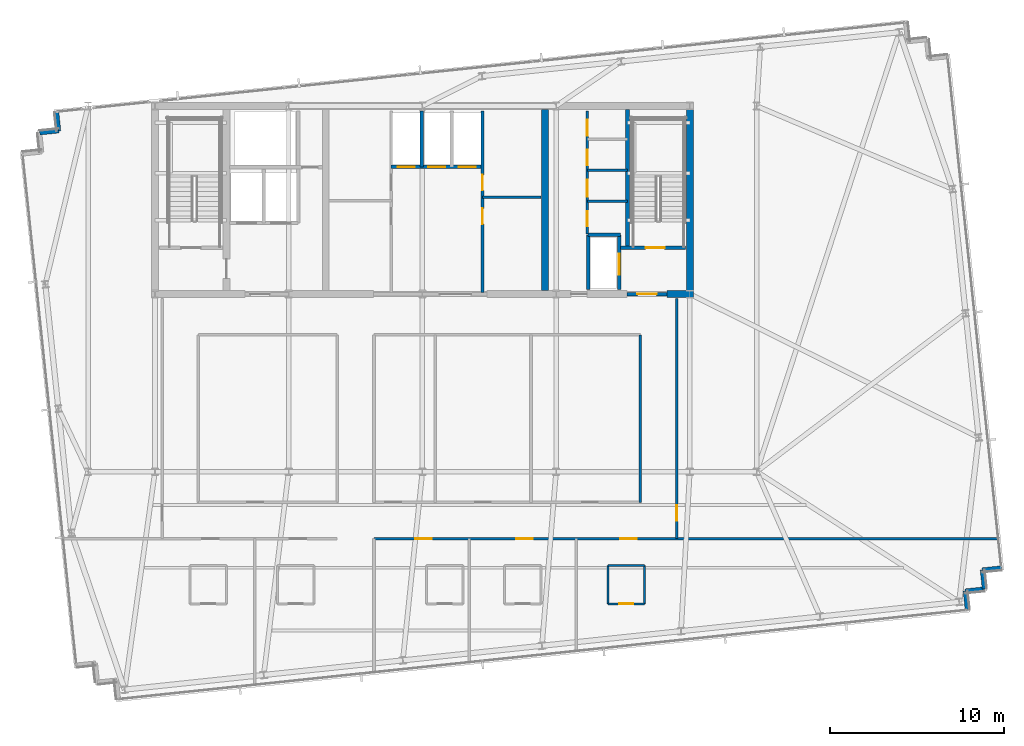
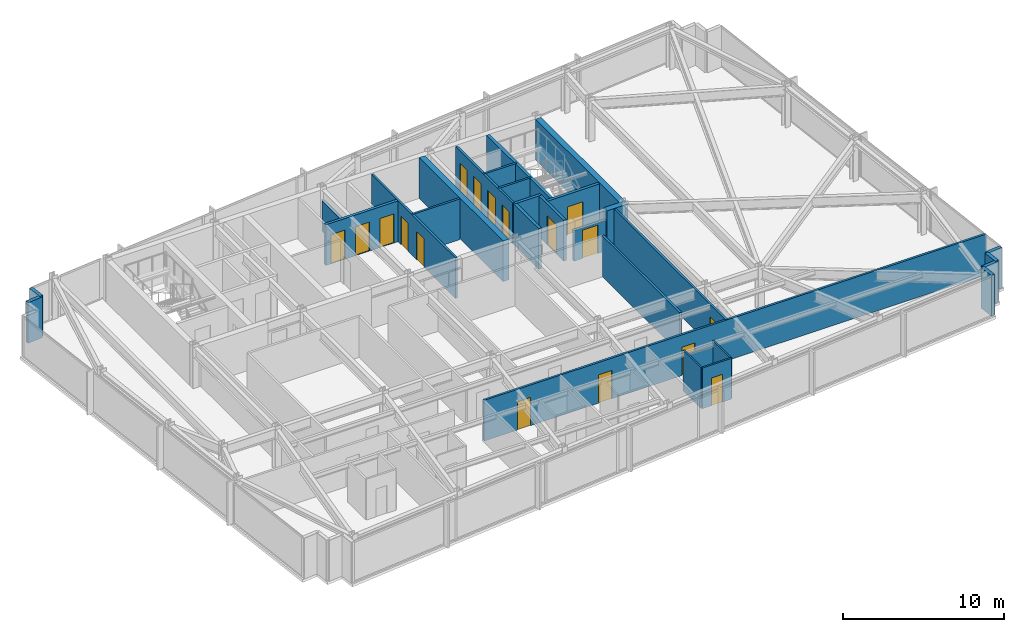
# One storey, part 28 of 33: 29 walls, 17 doors, 17 openings.
"""IFC4 building model written with IfcOpenShell, lengths in metres."""

from ifc_helpers import new_model, si_unit, direction, frame, frame_2d, origin, place, context, subcontext, project, spatial, rectangle, extrude, material, layer, layer_set, type_object, element, fill, save


model = new_model("IFC4")

# Units and contexts
model_context = context("Model", 3, precision=1e-05, world=origin(), true_north=direction((0.0, 1.0)))
body_context = subcontext(model_context, "Body", "Model", "MODEL_VIEW")
ifc_project = project(units=[si_unit("LENGTHUNIT", "METRE"), si_unit("AREAUNIT", "SQUARE_METRE"), si_unit("VOLUMEUNIT", "CUBIC_METRE"), si_unit("PLANEANGLEUNIT", "RADIAN"), si_unit("MASSUNIT", "GRAM", prefix="KILO")], contexts=[model_context])

# Site, building, storey
site_placement = place(None, origin())
site = spatial("IfcSite", under=ifc_project, at=site_placement, CompositionType="ELEMENT")
building_placement = place(site_placement, origin())
building = spatial("IfcBuilding", under=site, at=building_placement, Name="Yelkora Congress Tower", CompositionType="ELEMENT")
storey_placement = place(building_placement, frame((0.0, 0.0, 234.199951171875)))
storey = spatial("IfcBuildingStorey", under=building, at=storey_placement, Name="L65", CompositionType="ELEMENT", Elevation=234.199951171875)

# Walls
ifc_material_1 = material(Name="Concrete C50/60", Category="concrete")
ifc_layer_1 = layer(ifc_material_1, 0.219970703125)
ifc_layer_set_1 = layer_set([ifc_layer_1], Name="Concrete C50/60")
wall_type_1 = type_object("IfcWallType", Name="WALL-CORE-INT-220", PredefinedType="SHEAR", material=ifc_layer_set_1)
wall_1_placement = place(storey_placement, frame((50.179931640625, 38.050048828125, 0.0), z_axis=(0.0, 0.0, 1.0), x_axis=(0.0, 1.0, 0.0)))
element("IfcWall", 1, at=wall_1_placement, inside=storey, type_object=wall_type_1, Name="L65 ST02 West Stair Shear Wall", PredefinedType="SHEAR", context=body_context, shape_type="SweptSolid", body=[
    extrude(rectangle(XDim=7.949951171875, YDim=0.219970703125, at=frame_2d((3.97509765625, 0.0))), origin(), (0.0, 0.0, 1.0), 3.080078125),
])
ifc_layer_2 = layer(ifc_material_1, 0.39990234375)
ifc_layer_set_2 = layer_set([ifc_layer_2], Name="Concrete C50/60")
wall_type_2 = type_object("IfcWallType", Name="WALL-CORE-INT-400", PredefinedType="SHEAR", material=ifc_layer_set_2)
wall_2_placement = place(storey_placement, frame((52.449951171875, 35.39990234375, 0.0), z_axis=(0.0, 0.0, 1.0), x_axis=(1.0, 0.0, 0.0)))
element("IfcWall", 2, at=wall_2_placement, inside=storey, type_object=wall_type_2, Name="L65 Rear Core South-East Shear Wall B", PredefinedType="SHEAR", context=body_context, shape_type="SweptSolid", body=[
    extrude(rectangle(XDim=1.510009765625, YDim=0.39990234375, at=frame_2d((0.7548828125, 0.0))), origin(), (0.0, 0.0, 1.0), 3.080078125),
])
for number, where, z_axis, x_axis, name in (
    (3, (45.449951171875, 35.60009765625, 0.0), (0.0, 0.0, 1.0), (0.0, 1.0, 0.0), "L65 Rear Core Cross Shear Wall C3"),
    (4, (53.760009765625, 35.60009765625, 0.0), (0.0, 0.0, 1.0), (0.0, 1.0, 0.0), "L65 Rear Core Cross Shear Wall E"),
):
    element("IfcWall", number, at=place(storey_placement, frame(where, z_axis=z_axis, x_axis=x_axis)), inside=storey, type_object=wall_type_2, Name=name, PredefinedType="SHEAR", context=body_context, shape_type="SweptSolid", body=[
        extrude(rectangle(XDim=10.39990234375, YDim=0.39990234375, at=frame_2d((5.199951171875, 0.0))), origin(), (0.0, 0.0, 1.0), 3.080078125),
    ])
ifc_material_2 = material(Name="Concrete C40/50", Category="concrete")
ifc_layer_3 = layer(ifc_material_2, 0.239990234375)
ifc_layer_set_3 = layer_set([ifc_layer_3], Name="Concrete C40/50")
wall_type_3 = type_object("IfcWallType", Name="WALL-EXT-LIMESTONE-240", PredefinedType="SOLIDWALL", material=ifc_layer_set_3)
wall_3_placement = place(storey_placement, frame((16.420166015625, 44.65380859375, 0.0), z_axis=(0.0, 0.0, 1.0), x_axis=(0.994541884982, 0.104338099541, 0.0)))
element("IfcWall", 5, at=wall_3_placement, inside=storey, type_object=wall_type_3, Name="L65 Serrated Corner Limestone Pier 8", PredefinedType="SOLIDWALL", context=body_context, shape_type="SweptSolid", body=[
    extrude(rectangle(XDim=1.099853515625, YDim=0.239990234375, at=frame_2d((0.5498046875, 0.0))), origin(), (0.0, 0.0, 1.0), 3.080078125),
])
for number, where, z_axis, x_axis, name in (
    (6, (17.513916015625, 44.7685546875, 0.0), (0.0, 0.0, 1.0), (-0.104534592565, 0.994521251134, 0.0), "L65 Serrated Corner Limestone Pier 9"),
    (7, (71.654052734375, 19.67041015625, 0.0), (0.0, 0.0, 1.0), (-0.994521251134, -0.104534592565, 0.0), "L65 Serrated Corner Limestone Pier 16"),
    (8, (70.56005859375, 19.555419921875, 0.0), (0.0, 0.0, 1.0), (0.104534592565, -0.994521251134, 0.0), "L65 Serrated Corner Limestone Pier 17"),
    (9, (70.675048828125, 18.46142578125, 0.0), (0.0, 0.0, 1.0), (-0.994521251134, -0.104534592565, 0.0), "L65 Serrated Corner Limestone Pier 18"),
    (10, (69.5810546875, 18.346435546875, 0.0), (0.0, 0.0, 1.0), (0.104534592565, -0.994521251134, 0.0), "L65 Serrated Corner Limestone Pier 19"),
):
    element("IfcWall", number, at=place(storey_placement, frame(where, z_axis=z_axis, x_axis=x_axis)), inside=storey, type_object=wall_type_3, Name=name, PredefinedType="SOLIDWALL", context=body_context, shape_type="SweptSolid", body=[
        extrude(rectangle(XDim=1.10009765625, YDim=0.239990234375, at=frame_2d((0.550048828125, 0.0))), origin(), (0.0, 0.0, 1.0), 3.080078125),
    ])
ifc_material_3 = material(Name="Moisture-resistant gypsum partition", Category="gypsum")
ifc_layer_4 = layer(ifc_material_3, 0.1201171875)
ifc_layer_set_4 = layer_set([ifc_layer_4], Name="Moisture-resistant gypsum partition")
wall_type_4 = type_object("IfcWallType", Name="WALL-INT-120-NR", PredefinedType="PARTITIONING", material=ifc_layer_set_4)
wall_4_placement = place(storey_placement, frame((49.069091796875, 19.800048828125, 0.0), z_axis=(0.0, 0.0, 1.0), x_axis=(1.0, 0.0, 0.0)))
element("IfcWall", 11, at=wall_4_placement, inside=storey, type_object=wall_type_4, Name="L65 Partition Wall 43", PredefinedType="PARTITIONING", context=body_context, shape_type="SweptSolid", body=[
    extrude(rectangle(XDim=2.099853515625, YDim=0.1201171875, at=frame_2d((1.0498046875, 0.0))), origin(), (0.0, 0.0, 1.0), 2.715087890625),
])
for number, where, z_axis, x_axis, name in (
    (12, (49.069091796875, 17.60009765625, 0.0), (0.0, 0.0, 1.0), (0.0, 1.0, 0.0), "L65 Partition Wall 44"),
    (13, (51.1689453125, 17.60009765625, 0.0), (0.0, 0.0, 1.0), (0.0, 1.0, 0.0), "L65 Partition Wall 45"),
):
    element("IfcWall", number, at=place(storey_placement, frame(where, z_axis=z_axis, x_axis=x_axis)), inside=storey, type_object=wall_type_4, Name=name, PredefinedType="PARTITIONING", context=body_context, shape_type="SweptSolid", body=[
        extrude(rectangle(XDim=2.199951171875, YDim=0.1201171875, at=frame_2d((1.10009765625, 0.0))), origin(), (0.0, 0.0, 1.0), 3.080078125),
    ])

# Wall, opening, door
wall_5_placement = place(storey_placement, frame((49.069091796875, 17.60009765625, 0.0), z_axis=(0.0, 0.0, 1.0), x_axis=(1.0, 0.0, 0.0)))
wall_5 = element("IfcWall", 14, at=wall_5_placement, inside=storey, type_object=wall_type_4, Name="L65 Partition Wall 46", PredefinedType="PARTITIONING", context=body_context, shape_type="SweptSolid", body=[
    extrude(rectangle(XDim=2.099853515625, YDim=0.1201171875, at=frame_2d((1.0498046875, 0.0))), origin(), (0.0, 0.0, 1.0), 3.080078125),
])
opening_1_placement = place(wall_5_placement, frame((0.64990234375, 0.0, 0.0)))
opening_1 = element("IfcOpeningElement", 15, at=opening_1_placement, cuts=wall_5, Name="Opening DR-080B", PredefinedType="OPENING", context=body_context, shape_type="SweptSolid", body=[
    extrude(rectangle(XDim=0.800048828125, YDim=2.10009765625, at=frame_2d((0.39990234375, 1.050048828125))), frame((0.0, 0.070068359375, 0.0), z_axis=(0.0, -1.0, 0.0), x_axis=(1.0, 0.0, 0.0)), (0.0, 0.0, 1.0), 0.14013671875),
])
ifc_material_4 = material(Name="Moisture-sealed en-suite timber door", Category="wood")
door_type_1 = type_object("IfcDoorType", Name="DOOR-BATH-800", OperationType="NOTDEFINED", PredefinedType="DOOR", material=ifc_material_4)
door_1_placement = place(opening_1_placement, origin())
door_1 = element("IfcDoor", 16, at=door_1_placement, inside=storey, type_object=door_type_1, Name="L65 En-suite Door 6", OperationType="SINGLE_SWING_LEFT", OverallHeight=2.10009765625, OverallWidth=0.800048828125, PredefinedType="DOOR", context=body_context, shape_type="SweptSolid", body=[
    extrude(rectangle(XDim=0.800048828125, YDim=2.10009765625, at=frame_2d((0.39990234375, 1.050048828125))), frame((0.0, 0.02490234375, 0.0), z_axis=(0.0, -1.0, 0.0), x_axis=(1.0, 0.0, 0.0)), (0.0, 0.0, 1.0), 0.050048828125),
])
fill(opening_1, door_1)

# Walls
ifc_material_5 = material(Name="Acoustic metal-stud gypsum partition", Category="gypsum")
ifc_layer_5 = layer(ifc_material_5, 0.14990234375)
ifc_layer_set_5 = layer_set([ifc_layer_5], Name="Acoustic metal-stud gypsum partition")
wall_type_5 = type_object("IfcWallType", Name="WALL-INT-150-NR", PredefinedType="PARTITIONING", material=ifc_layer_set_5)
for number, where, z_axis, x_axis, name in (
    (17, (47.8798828125, 40.719970703125, 0.0), (0.0, 0.0, 1.0), (1.0, 0.0, 0.0), "L65 Partition Wall 20"),
    (18, (47.8798828125, 42.52001953125, 0.0), (0.0, 0.0, 1.0), (1.0, 0.0, 0.0), "L65 Partition Wall 21"),
):
    element("IfcWall", number, at=place(storey_placement, frame(where, z_axis=z_axis, x_axis=x_axis)), inside=storey, type_object=wall_type_5, Name=name, PredefinedType="PARTITIONING", context=body_context, shape_type="SweptSolid", body=[
        extrude(rectangle(XDim=2.300048828125, YDim=0.14990234375, at=frame_2d((1.14990234375, 0.0))), origin(), (0.0, 0.0, 1.0), 3.080078125),
    ])

# Wall, openings, doors
wall_6_placement = place(storey_placement, frame((47.8798828125, 38.85009765625, 0.0), z_axis=(0.0, 0.0, 1.0), x_axis=(0.0, 1.0, 0.0)))
wall_6 = element("IfcWall", 19, at=wall_6_placement, inside=storey, type_object=wall_type_5, Name="L65 Partition Wall 23", PredefinedType="PARTITIONING", context=body_context, shape_type="SweptSolid", body=[
    extrude(rectangle(XDim=7.06982421875, YDim=0.14990234375, at=frame_2d((3.534912109375, 0.0))), origin(), (0.0, 0.0, 1.0), 3.080078125),
])
opening_2_placement = place(wall_6_placement, frame((0.449951171875, 0.0, 0.0)))
opening_2 = element("IfcOpeningElement", 20, at=opening_2_placement, cuts=wall_6, Name="Opening DR-085N", PredefinedType="OPENING", context=body_context, shape_type="SweptSolid", body=[
    extrude(rectangle(XDim=0.85009765625, YDim=2.14990234375, at=frame_2d((0.425048828125, 1.074951171875))), frame((0.0, 0.0849609375, 0.0), z_axis=(0.0, -1.0, 0.0), x_axis=(1.0, 0.0, 0.0)), (0.0, 0.0, 1.0), 0.169921875),
])
opening_3_placement = place(wall_6_placement, frame((2.14990234375, 0.0, 0.0)))
opening_3 = element("IfcOpeningElement", 21, at=opening_3_placement, cuts=wall_6, Name="Opening DR-095N", PredefinedType="OPENING", context=body_context, shape_type="SweptSolid", body=[
    extrude(rectangle(XDim=0.949951171875, YDim=2.14990234375, at=frame_2d((0.47509765625, 1.074951171875))), frame((0.0, 0.0849609375, 0.0), z_axis=(0.0, -1.0, 0.0), x_axis=(1.0, 0.0, 0.0)), (0.0, 0.0, 1.0), 0.169921875),
])
opening_4_placement = place(wall_6_placement, frame((3.949951171875, 0.0, 0.0)))
opening_4 = element("IfcOpeningElement", 22, at=opening_4_placement, cuts=wall_6, Name="Opening DR-090N", PredefinedType="OPENING", context=body_context, shape_type="SweptSolid", body=[
    extrude(rectangle(XDim=0.89990234375, YDim=2.14990234375, at=frame_2d((0.449951171875, 1.074951171875))), frame((0.0, 0.0849609375, 0.0), z_axis=(0.0, -1.0, 0.0), x_axis=(1.0, 0.0, 0.0)), (0.0, 0.0, 1.0), 0.169921875),
])
opening_5_placement = place(wall_6_placement, frame((5.64990234375, 0.0, 0.0)))
opening_5 = element("IfcOpeningElement", 23, at=opening_5_placement, cuts=wall_6, Name="Opening DR-090N", PredefinedType="OPENING", context=body_context, shape_type="SweptSolid", body=[
    extrude(rectangle(XDim=0.89990234375, YDim=2.14990234375, at=frame_2d((0.449951171875, 1.074951171875))), frame((0.0, 0.0849609375, 0.0), z_axis=(0.0, -1.0, 0.0), x_axis=(1.0, 0.0, 0.0)), (0.0, 0.0, 1.0), 0.169921875),
])
ifc_material_6 = material(Name="Laminate service store door leaf", Category="wood")
door_type_2 = type_object("IfcDoorType", Name="DOOR-INT-850", OperationType="NOTDEFINED", PredefinedType="DOOR", material=ifc_material_6)
door_2_placement = place(opening_2_placement, origin())
door_2 = element("IfcDoor", 24, at=door_2_placement, inside=storey, type_object=door_type_2, Name="L65 Janitor Room Door", OperationType="SINGLE_SWING_LEFT", OverallHeight=2.14990234375, OverallWidth=0.85009765625, PredefinedType="DOOR", context=body_context, shape_type="SweptSolid", body=[
    extrude(rectangle(XDim=0.85009765625, YDim=2.14990234375, at=frame_2d((0.425048828125, 1.074951171875))), frame((0.0, 0.02490234375, 0.0), z_axis=(0.0, -1.0, 0.0), x_axis=(1.0, 0.0, 0.0)), (0.0, 0.0, 1.0), 0.050048828125),
])
fill(opening_2, door_2)
ifc_material_7 = material(Name="Moisture-resistant laminate door leaf", Category="wood")
door_type_3 = type_object("IfcDoorType", Name="DOOR-INT-900", OperationType="NOTDEFINED", PredefinedType="DOOR", material=ifc_material_7)
door_3_placement = place(opening_4_placement, origin())
door_3 = element("IfcDoor", 25, at=door_3_placement, inside=storey, type_object=door_type_3, Name="L65 Male WC Door", OperationType="SINGLE_SWING_LEFT", OverallHeight=2.14990234375, OverallWidth=0.89990234375, PredefinedType="DOOR", context=body_context, shape_type="SweptSolid", body=[
    extrude(rectangle(XDim=0.89990234375, YDim=2.14990234375, at=frame_2d((0.449951171875, 1.074951171875))), frame((0.0, 0.02490234375, 0.0), z_axis=(0.0, -1.0, 0.0), x_axis=(1.0, 0.0, 0.0)), (0.0, 0.0, 1.0), 0.050048828125),
])
fill(opening_4, door_3)
door_4_placement = place(opening_5_placement, origin())
door_4 = element("IfcDoor", 26, at=door_4_placement, inside=storey, type_object=door_type_3, Name="L65 Female WC Door", OperationType="SINGLE_SWING_RIGHT", OverallHeight=2.14990234375, OverallWidth=0.89990234375, PredefinedType="DOOR", context=body_context, shape_type="SweptSolid", body=[
    extrude(rectangle(XDim=0.89990234375, YDim=2.14990234375, at=frame_2d((0.449951171875, 1.074951171875))), frame((0.0, 0.02490234375, 0.0), z_axis=(0.0, -1.0, 0.0), x_axis=(1.0, 0.0, 0.0)), (0.0, 0.0, 1.0), 0.050048828125),
])
fill(opening_5, door_4)
ifc_material_8 = material(Name="Acoustic laminated timber office door", Category="wood")
door_type_4 = type_object("IfcDoorType", Name="DOOR-INT-950", OperationType="NOTDEFINED", PredefinedType="DOOR", material=ifc_material_8)
door_5_placement = place(opening_3_placement, origin())
door_5 = element("IfcDoor", 27, at=door_5_placement, inside=storey, type_object=door_type_4, Name="L65 Accessible WC Door", OperationType="SINGLE_SWING_RIGHT", OverallHeight=2.14990234375, OverallWidth=0.949951171875, PredefinedType="DOOR", context=body_context, shape_type="SweptSolid", body=[
    extrude(rectangle(XDim=0.949951171875, YDim=2.14990234375, at=frame_2d((0.47509765625, 1.074951171875))), frame((0.0, 0.02490234375, 0.0), z_axis=(0.0, -1.0, 0.0), x_axis=(1.0, 0.0, 0.0)), (0.0, 0.0, 1.0), 0.050048828125),
])
fill(opening_3, door_5)

# Wall, opening, door
wall_7_placement = place(storey_placement, frame((53.0, 21.35009765625, 0.0), z_axis=(0.0, 0.0, 1.0), x_axis=(0.0, 1.0, 0.0)))
wall_7 = element("IfcWall", 28, at=wall_7_placement, inside=storey, type_object=wall_type_5, Name="L65 Partition Wall 51", PredefinedType="PARTITIONING", context=body_context, shape_type="SweptSolid", body=[
    extrude(rectangle(XDim=13.789794921875, YDim=0.14990234375, at=frame_2d((6.89501953125, 0.0))), origin(), (0.0, 0.0, 1.0), 3.080078125),
])
opening_6_placement = place(wall_7_placement, frame((1.030029296875, 0.0, 0.0)))
opening_6 = element("IfcOpeningElement", 29, at=opening_6_placement, cuts=wall_7, Name="Opening DR-090N", PredefinedType="OPENING", context=body_context, shape_type="SweptSolid", body=[
    extrude(rectangle(XDim=0.89990234375, YDim=2.14990234375, at=frame_2d((0.449951171875, 1.074951171875))), frame((0.0, 0.0849609375, 0.0), z_axis=(0.0, -1.0, 0.0), x_axis=(1.0, 0.0, 0.0)), (0.0, 0.0, 1.0), 0.169921875),
])
door_6_placement = place(opening_6_placement, origin())
door_6 = element("IfcDoor", 30, at=door_6_placement, inside=storey, type_object=door_type_3, Name="L65 E Wing Door", OperationType="SINGLE_SWING_RIGHT", OverallHeight=2.14990234375, OverallWidth=0.89990234375, PredefinedType="DOOR", context=body_context, shape_type="SweptSolid", body=[
    extrude(rectangle(XDim=0.89990234375, YDim=2.14990234375, at=frame_2d((0.449951171875, 1.074951171875))), frame((0.0, 0.02490234375, 0.0), z_axis=(0.0, -1.0, 0.0), x_axis=(1.0, 0.0, 0.0)), (0.0, 0.0, 1.0), 0.050048828125),
])
fill(opening_6, door_6)

# Walls
wall_8_placement = place(storey_placement, frame((50.919921875, 23.429931640625, 0.0), z_axis=(0.0, 0.0, 1.0), x_axis=(0.0, 1.0, 0.0)))
element("IfcWall", 31, at=wall_8_placement, inside=storey, type_object=wall_type_5, Name="L65 Partition Wall 53", PredefinedType="PARTITIONING", context=body_context, shape_type="SweptSolid", body=[
    extrude(rectangle(XDim=9.6201171875, YDim=0.14990234375, at=frame_2d((4.81005859375, 0.0))), origin(), (0.0, 0.0, 1.0), 3.080078125),
])
ifc_material_9 = material(Name="Twin-stud fire-rated gypsum partition", Category="gypsum")
ifc_layer_6 = layer(ifc_material_9, 0.14990234375)
ifc_layer_set_6 = layer_set([ifc_layer_6], Name="Twin-stud fire-rated gypsum partition")
wall_type_6 = type_object("IfcWallType", Name="WALL-INT-150-R60", PredefinedType="PARTITIONING", material=ifc_layer_set_6)
wall_9_placement = place(storey_placement, frame((41.85009765625, 40.949951171875, 0.0), z_axis=(0.0, 0.0, 1.0), x_axis=(1.0, 0.0, 0.0)))
element("IfcWall", 32, at=wall_9_placement, inside=storey, type_object=wall_type_6, Name="L65 Partition Wall 13", PredefinedType="PARTITIONING", context=body_context, shape_type="SweptSolid", body=[
    extrude(rectangle(XDim=3.369873046875, YDim=0.14990234375, at=frame_2d((1.68505859375, 0.0))), origin(), (0.0, 0.0, 1.0), 3.080078125),
])

# Wall, openings, doors
wall_10_placement = place(storey_placement, frame((41.85009765625, 35.5, 0.0), z_axis=(0.0, 0.0, 1.0), x_axis=(0.0, 1.0, 0.0)))
wall_10 = element("IfcWall", 33, at=wall_10_placement, inside=storey, type_object=wall_type_6, Name="L65 Partition Wall 14", PredefinedType="PARTITIONING", context=body_context, shape_type="SweptSolid", body=[
    extrude(rectangle(XDim=10.419921875, YDim=0.14990234375, at=frame_2d((5.2099609375, 0.0))), origin(), (0.0, 0.0, 1.0), 3.080078125),
])
opening_7_placement = place(wall_10_placement, frame((3.919921875, 0.0, 0.0)))
opening_7 = element("IfcOpeningElement", 34, at=opening_7_placement, cuts=wall_10, Name="Opening DR-090F6", PredefinedType="OPENING", context=body_context, shape_type="SweptSolid", body=[
    extrude(rectangle(XDim=0.89990234375, YDim=2.14990234375, at=frame_2d((0.449951171875, 1.074951171875))), frame((0.0, 0.0849609375, 0.0), z_axis=(0.0, -1.0, 0.0), x_axis=(1.0, 0.0, 0.0)), (0.0, 0.0, 1.0), 0.169921875),
])
opening_8_placement = place(wall_10_placement, frame((5.85009765625, 0.0, 0.0)))
opening_8 = element("IfcOpeningElement", 35, at=opening_8_placement, cuts=wall_10, Name="Opening DR-090F6", PredefinedType="OPENING", context=body_context, shape_type="SweptSolid", body=[
    extrude(rectangle(XDim=0.89990234375, YDim=2.14990234375, at=frame_2d((0.449951171875, 1.074951171875))), frame((0.0, 0.0849609375, 0.0), z_axis=(0.0, -1.0, 0.0), x_axis=(1.0, 0.0, 0.0)), (0.0, 0.0, 1.0), 0.169921875),
])
ifc_material_10 = material(Name="Painted steel riser fire door leaf", Category="steel")
door_type_5 = type_object("IfcDoorType", Name="DOOR-FD60-900", OperationType="NOTDEFINED", PredefinedType="DOOR", material=ifc_material_10)
door_7_placement = place(opening_7_placement, origin())
door_7 = element("IfcDoor", 36, at=door_7_placement, inside=storey, type_object=door_type_5, Name="L65 High-Zone BMS Door", OperationType="SINGLE_SWING_RIGHT", OverallHeight=2.14990234375, OverallWidth=0.89990234375, PredefinedType="DOOR", context=body_context, shape_type="SweptSolid", body=[
    extrude(rectangle(XDim=0.89990234375, YDim=2.14990234375, at=frame_2d((0.449951171875, 1.074951171875))), frame((0.0, 0.02490234375, 0.0), z_axis=(0.0, -1.0, 0.0), x_axis=(1.0, 0.0, 0.0)), (0.0, 0.0, 1.0), 0.050048828125),
])
fill(opening_7, door_7)
door_8_placement = place(opening_8_placement, origin())
door_8 = element("IfcDoor", 37, at=door_8_placement, inside=storey, type_object=door_type_5, Name="L65 Linen Store Door", OperationType="SINGLE_SWING_LEFT", OverallHeight=2.14990234375, OverallWidth=0.89990234375, PredefinedType="DOOR", context=body_context, shape_type="SweptSolid", body=[
    extrude(rectangle(XDim=0.89990234375, YDim=2.14990234375, at=frame_2d((0.449951171875, 1.074951171875))), frame((0.0, 0.02490234375, 0.0), z_axis=(0.0, -1.0, 0.0), x_axis=(1.0, 0.0, 0.0)), (0.0, 0.0, 1.0), 0.050048828125),
])
fill(opening_8, door_8)

wall_11_placement = place(storey_placement, frame((35.6201171875, 21.35009765625, 0.0), z_axis=(0.0, 0.0, 1.0), x_axis=(1.0, 0.0, 0.0)))
wall_11 = element("IfcWall", 38, at=wall_11_placement, inside=storey, type_object=wall_type_6, Name="L65 South Spine Wall East", PredefinedType="PARTITIONING", context=body_context, shape_type="SweptSolid", body=[
    extrude(rectangle(XDim=35.917724609375, YDim=0.14990234375, at=frame_2d((17.958984375, 0.0))), origin(), (0.0, 0.0, 1.0), 3.080078125),
])
opening_9_placement = place(wall_11_placement, frame((2.3759765625, 0.0, 0.0)))
opening_9 = element("IfcOpeningElement", 39, at=opening_9_placement, cuts=wall_11, Name="Opening DR-095F6", PredefinedType="OPENING", context=body_context, shape_type="SweptSolid", body=[
    extrude(rectangle(XDim=0.949951171875, YDim=2.14990234375, at=frame_2d((0.47509765625, 1.074951171875))), frame((0.0, 0.0849609375, 0.0), z_axis=(0.0, -1.0, 0.0), x_axis=(1.0, 0.0, 0.0)), (0.0, 0.0, 1.0), 0.169921875),
])
opening_10_placement = place(wall_11_placement, frame((8.179931640625, 0.0, 0.0)))
opening_10 = element("IfcOpeningElement", 40, at=opening_10_placement, cuts=wall_11, Name="Opening DR-095F6", PredefinedType="OPENING", context=body_context, shape_type="SweptSolid", body=[
    extrude(rectangle(XDim=0.949951171875, YDim=2.14990234375, at=frame_2d((0.47509765625, 1.074951171875))), frame((0.0, 0.0849609375, 0.0), z_axis=(0.0, -1.0, 0.0), x_axis=(1.0, 0.0, 0.0)), (0.0, 0.0, 1.0), 0.169921875),
])
opening_11_placement = place(wall_11_placement, frame((14.138916015625, 0.0, 0.0)))
opening_11 = element("IfcOpeningElement", 41, at=opening_11_placement, cuts=wall_11, Name="Opening DR-095F6", PredefinedType="OPENING", context=body_context, shape_type="SweptSolid", body=[
    extrude(rectangle(XDim=0.949951171875, YDim=2.14990234375, at=frame_2d((0.47509765625, 1.074951171875))), frame((0.0, 0.0849609375, 0.0), z_axis=(0.0, -1.0, 0.0), x_axis=(1.0, 0.0, 0.0)), (0.0, 0.0, 1.0), 0.169921875),
])
ifc_material_11 = material(Name="Acoustic oak-veneer fire door leaf", Category="wood")
door_type_6 = type_object("IfcDoorType", Name="DOOR-FD60-950", OperationType="NOTDEFINED", PredefinedType="DOOR", material=ifc_material_11)
door_9_placement = place(opening_9_placement, origin())
door_9 = element("IfcDoor", 42, at=door_9_placement, inside=storey, type_object=door_type_6, Name="L65 Hotel Guest Room 04 Entry Door", OperationType="SINGLE_SWING_RIGHT", OverallHeight=2.14990234375, OverallWidth=0.949951171875, PredefinedType="DOOR", context=body_context, shape_type="SweptSolid", body=[
    extrude(rectangle(XDim=0.949951171875, YDim=2.14990234375, at=frame_2d((0.47509765625, 1.074951171875))), frame((0.0, 0.02490234375, 0.0), z_axis=(0.0, -1.0, 0.0), x_axis=(1.0, 0.0, 0.0)), (0.0, 0.0, 1.0), 0.050048828125),
])
fill(opening_9, door_9)
door_10_placement = place(opening_10_placement, origin())
door_10 = element("IfcDoor", 43, at=door_10_placement, inside=storey, type_object=door_type_6, Name="L65 Hotel Guest Room 05 Entry Door", OperationType="SINGLE_SWING_LEFT", OverallHeight=2.14990234375, OverallWidth=0.949951171875, PredefinedType="DOOR", context=body_context, shape_type="SweptSolid", body=[
    extrude(rectangle(XDim=0.949951171875, YDim=2.14990234375, at=frame_2d((0.47509765625, 1.074951171875))), frame((0.0, 0.02490234375, 0.0), z_axis=(0.0, -1.0, 0.0), x_axis=(1.0, 0.0, 0.0)), (0.0, 0.0, 1.0), 0.050048828125),
])
fill(opening_10, door_10)
door_11_placement = place(opening_11_placement, origin())
door_11 = element("IfcDoor", 44, at=door_11_placement, inside=storey, type_object=door_type_6, Name="L65 Diplomatic Suite 06 Entry Door", OperationType="SINGLE_SWING_RIGHT", OverallHeight=2.14990234375, OverallWidth=0.949951171875, PredefinedType="DOOR", context=body_context, shape_type="SweptSolid", body=[
    extrude(rectangle(XDim=0.949951171875, YDim=2.14990234375, at=frame_2d((0.47509765625, 1.074951171875))), frame((0.0, 0.02490234375, 0.0), z_axis=(0.0, -1.0, 0.0), x_axis=(1.0, 0.0, 0.0)), (0.0, 0.0, 1.0), 0.050048828125),
])
fill(opening_11, door_11)

ifc_material_12 = material(Name="Autoclaved aerated concrete blockwork", Category="masonry")
ifc_layer_7 = layer(ifc_material_12, 0.199951171875)
ifc_layer_set_7 = layer_set([ifc_layer_7], Name="Autoclaved aerated concrete blockwork")
wall_type_7 = type_object("IfcWallType", Name="WALL-INT-200-R120", PredefinedType="PARTITIONING", material=ifc_layer_set_7)
wall_12_placement = place(storey_placement, frame((36.60009765625, 42.699951171875, 0.0), z_axis=(0.0, 0.0, 1.0), x_axis=(1.0, 0.0, 0.0)))
wall_12 = element("IfcWall", 45, at=wall_12_placement, inside=storey, type_object=wall_type_7, Name="L65 Partition Wall 8", PredefinedType="PARTITIONING", context=body_context, shape_type="SweptSolid", body=[
    extrude(rectangle(XDim=5.25, YDim=0.199951171875, at=frame_2d((2.625, 0.0))), origin(), (0.0, 0.0, 1.0), 3.080078125),
])
opening_12_placement = place(wall_12_placement, frame((0.375, 0.0, 0.0)))
opening_12 = element("IfcOpeningElement", 46, at=opening_12_placement, cuts=wall_12, Name="Opening LD-PS10", PredefinedType="OPENING", context=body_context, shape_type="SweptSolid", body=[
    extrude(rectangle(XDim=1.0, YDim=2.199951171875, at=frame_2d((0.5, 1.10009765625))), frame((0.0, 0.10986328125, 0.0), z_axis=(0.0, -1.0, 0.0), x_axis=(1.0, 0.0, 0.0)), (0.0, 0.0, 1.0), 0.219970703125),
])
opening_13_placement = place(wall_12_placement, frame((2.125, 0.0, 0.0)))
opening_13 = element("IfcOpeningElement", 47, at=opening_13_placement, cuts=wall_12, Name="Opening LD-PS10", PredefinedType="OPENING", context=body_context, shape_type="SweptSolid", body=[
    extrude(rectangle(XDim=1.0, YDim=2.199951171875, at=frame_2d((0.5, 1.10009765625))), frame((0.0, 0.10986328125, 0.0), z_axis=(0.0, -1.0, 0.0), x_axis=(1.0, 0.0, 0.0)), (0.0, 0.0, 1.0), 0.219970703125),
])
opening_14_placement = place(wall_12_placement, frame((3.875, 0.0, 0.0)))
opening_14 = element("IfcOpeningElement", 48, at=opening_14_placement, cuts=wall_12, Name="Opening LD-PS10", PredefinedType="OPENING", context=body_context, shape_type="SweptSolid", body=[
    extrude(rectangle(XDim=1.0, YDim=2.199951171875, at=frame_2d((0.5, 1.10009765625))), frame((0.0, 0.10986328125, 0.0), z_axis=(0.0, -1.0, 0.0), x_axis=(1.0, 0.0, 0.0)), (0.0, 0.0, 1.0), 0.219970703125),
])
ifc_material_13 = material(Name="Champagne stainless steel landing door", Category="steel")
door_type_7 = type_object("IfcDoorType", Name="DOOR-LIFT-PAS-1000", OperationType="DOUBLE_DOOR_SLIDING", PredefinedType="DOOR", material=ifc_material_13)
door_12_placement = place(opening_12_placement, origin())
door_12 = element("IfcDoor", 49, at=door_12_placement, inside=storey, type_object=door_type_7, Name="Lift Landing Door LF-P9 L65", OperationType="DOUBLE_DOOR_SLIDING", OverallHeight=2.199951171875, OverallWidth=1.0, PredefinedType="DOOR", context=body_context, shape_type="SweptSolid", body=[
    extrude(rectangle(XDim=1.0, YDim=2.199951171875, at=frame_2d((0.5, 1.10009765625))), frame((0.0, 0.02490234375, 0.0), z_axis=(0.0, -1.0, 0.0), x_axis=(1.0, 0.0, 0.0)), (0.0, 0.0, 1.0), 0.050048828125),
])
fill(opening_12, door_12)
door_13_placement = place(opening_13_placement, origin())
door_13 = element("IfcDoor", 50, at=door_13_placement, inside=storey, type_object=door_type_7, Name="Lift Landing Door LF-P10 L65", OperationType="DOUBLE_DOOR_SLIDING", OverallHeight=2.199951171875, OverallWidth=1.0, PredefinedType="DOOR", context=body_context, shape_type="SweptSolid", body=[
    extrude(rectangle(XDim=1.0, YDim=2.199951171875, at=frame_2d((0.5, 1.10009765625))), frame((0.0, 0.02490234375, 0.0), z_axis=(0.0, -1.0, 0.0), x_axis=(1.0, 0.0, 0.0)), (0.0, 0.0, 1.0), 0.050048828125),
])
fill(opening_13, door_13)
door_14_placement = place(opening_14_placement, origin())
door_14 = element("IfcDoor", 51, at=door_14_placement, inside=storey, type_object=door_type_7, Name="Lift Landing Door LF-P11 L65", OperationType="DOUBLE_DOOR_SLIDING", OverallHeight=2.199951171875, OverallWidth=1.0, PredefinedType="DOOR", context=body_context, shape_type="SweptSolid", body=[
    extrude(rectangle(XDim=1.0, YDim=2.199951171875, at=frame_2d((0.5, 1.10009765625))), frame((0.0, 0.02490234375, 0.0), z_axis=(0.0, -1.0, 0.0), x_axis=(1.0, 0.0, 0.0)), (0.0, 0.0, 1.0), 0.050048828125),
])
fill(opening_14, door_14)

# Wall
wall_13_placement = place(storey_placement, frame((38.35009765625, 42.699951171875, 0.0), z_axis=(0.0, 0.0, 1.0), x_axis=(0.0, 1.0, 0.0)))
element("IfcWall", 52, at=wall_13_placement, inside=storey, type_object=wall_type_7, Name="L65 Partition Wall 9", PredefinedType="PARTITIONING", context=body_context, shape_type="SweptSolid", body=[
    extrude(rectangle(XDim=3.219970703125, YDim=0.199951171875, at=frame_2d((1.60986328125, 0.0))), origin(), (0.0, 0.0, 1.0), 2.31298828125),
])

# Wall, opening, door
wall_14_placement = place(storey_placement, frame((49.780029296875, 38.050048828125, 0.0), z_axis=(0.0, 0.0, 1.0), x_axis=(1.0, 0.0, 0.0)))
wall_14 = element("IfcWall", 53, at=wall_14_placement, inside=storey, type_object=wall_type_7, Name="L65 Stair ST-02 Enclosure Wall", PredefinedType="PARTITIONING", context=body_context, shape_type="SweptSolid", body=[
    extrude(rectangle(XDim=3.719970703125, YDim=0.199951171875, at=frame_2d((1.85986328125, 0.0))), origin(), (0.0, 0.0, 1.0), 3.080078125),
])
opening_15_placement = place(wall_14_placement, frame((1.436279296875, 0.0, 0.0)))
opening_15 = element("IfcOpeningElement", 54, at=opening_15_placement, cuts=wall_14, Name="Opening DR-110F9", PredefinedType="OPENING", context=body_context, shape_type="SweptSolid", body=[
    extrude(rectangle(XDim=1.10009765625, YDim=2.14990234375, at=frame_2d((0.550048828125, 1.074951171875))), frame((0.0, 0.10986328125, 0.0), z_axis=(0.0, -1.0, 0.0), x_axis=(1.0, 0.0, 0.0)), (0.0, 0.0, 1.0), 0.219970703125),
])
ifc_material_14 = material(Name="Galvanised steel fire door leaf", Category="steel")
door_type_8 = type_object("IfcDoorType", Name="DOOR-FD90-1100", OperationType="NOTDEFINED", PredefinedType="DOOR", material=ifc_material_14)
door_15_placement = place(opening_15_placement, origin())
door_15 = element("IfcDoor", 55, at=door_15_placement, inside=storey, type_object=door_type_8, Name="L65 Stair ST-02 Entry Door", OperationType="SINGLE_SWING_RIGHT", OverallHeight=2.14990234375, OverallWidth=1.10009765625, PredefinedType="DOOR", context=body_context, shape_type="SweptSolid", body=[
    extrude(rectangle(XDim=1.10009765625, YDim=2.14990234375, at=frame_2d((0.550048828125, 1.074951171875))), frame((0.0, 0.02490234375, 0.0), z_axis=(0.0, -1.0, 0.0), x_axis=(1.0, 0.0, 0.0)), (0.0, 0.0, 1.0), 0.050048828125),
])
fill(opening_15, door_15)

wall_15_placement = place(storey_placement, frame((50.14990234375, 35.39990234375, 0.0), z_axis=(0.0, 0.0, 1.0), x_axis=(1.0, 0.0, 0.0)))
wall_15 = element("IfcWall", 56, at=wall_15_placement, inside=storey, type_object=wall_type_7, Name="L65 Partition Wall 16", PredefinedType="PARTITIONING", context=body_context, shape_type="SweptSolid", body=[
    extrude(rectangle(XDim=2.300048828125, YDim=0.199951171875, at=frame_2d((1.14990234375, 0.0))), origin(), (0.0, 0.0, 1.0), 2.31298828125),
])
opening_16_placement = place(wall_15_placement, frame((0.60009765625, 0.0, 0.0)))
opening_16 = element("IfcOpeningElement", 57, at=opening_16_placement, cuts=wall_15, Name="Opening DR-110F9", PredefinedType="OPENING", context=body_context, shape_type="SweptSolid", body=[
    extrude(rectangle(XDim=1.10009765625, YDim=2.14990234375, at=frame_2d((0.550048828125, 1.074951171875))), frame((0.0, 0.10986328125, 0.0), z_axis=(0.0, -1.0, 0.0), x_axis=(1.0, 0.0, 0.0)), (0.0, 0.0, 1.0), 0.219970703125),
])
door_16_placement = place(opening_16_placement, origin())
door_16 = element("IfcDoor", 58, at=door_16_placement, inside=storey, type_object=door_type_8, Name="L65 East Stair Lobby Door", OperationType="SINGLE_SWING_LEFT", OverallHeight=2.14990234375, OverallWidth=1.10009765625, PredefinedType="DOOR", context=body_context, shape_type="SweptSolid", body=[
    extrude(rectangle(XDim=1.10009765625, YDim=2.14990234375, at=frame_2d((0.550048828125, 1.074951171875))), frame((0.0, 0.02490234375, 0.0), z_axis=(0.0, -1.0, 0.0), x_axis=(1.0, 0.0, 0.0)), (0.0, 0.0, 1.0), 0.050048828125),
])
fill(opening_16, door_16)

wall_16_placement = place(storey_placement, frame((49.699951171875, 35.64990234375, 0.0), z_axis=(0.0, 0.0, 1.0), x_axis=(0.0, 1.0, 0.0)))
wall_16 = element("IfcWall", 59, at=wall_16_placement, inside=storey, type_object=wall_type_7, Name="L65 Partition Wall 17", PredefinedType="PARTITIONING", context=body_context, shape_type="SweptSolid", body=[
    extrude(rectangle(XDim=3.150146484375, YDim=0.199951171875, at=frame_2d((1.5751953125, 0.0))), origin(), (0.0, 0.0, 1.0), 3.080078125),
])
opening_17_placement = place(wall_16_placement, frame((0.85009765625, 0.0, 0.0)))
opening_17 = element("IfcOpeningElement", 60, at=opening_17_placement, cuts=wall_16, Name="Opening LD-SV12", PredefinedType="OPENING", context=body_context, shape_type="SweptSolid", body=[
    extrude(rectangle(XDim=1.199951171875, YDim=2.199951171875, at=frame_2d((0.60009765625, 1.10009765625))), frame((0.0, 0.10986328125, 0.0), z_axis=(0.0, -1.0, 0.0), x_axis=(1.0, 0.0, 0.0)), (0.0, 0.0, 1.0), 0.219970703125),
])
ifc_material_15 = material(Name="Heavy-duty stainless steel landing door", Category="steel")
door_type_9 = type_object("IfcDoorType", Name="DOOR-LIFT-SRV-1200", OperationType="DOUBLE_DOOR_SLIDING", PredefinedType="DOOR", material=ifc_material_15)
door_17_placement = place(opening_17_placement, origin())
door_17 = element("IfcDoor", 61, at=door_17_placement, inside=storey, type_object=door_type_9, Name="Service Lift Landing Door LF-SV1 L65", OperationType="DOUBLE_DOOR_SLIDING", OverallHeight=2.199951171875, OverallWidth=1.199951171875, PredefinedType="DOOR", context=body_context, shape_type="SweptSolid", body=[
    extrude(rectangle(XDim=1.199951171875, YDim=2.199951171875, at=frame_2d((0.60009765625, 1.10009765625))), frame((0.0, 0.02490234375, 0.0), z_axis=(0.0, -1.0, 0.0), x_axis=(1.0, 0.0, 0.0)), (0.0, 0.0, 1.0), 0.050048828125),
])
fill(opening_17, door_17)

# Walls
wall_17_placement = place(storey_placement, frame((47.919921875, 35.64990234375, 0.0), z_axis=(0.0, 0.0, 1.0), x_axis=(0.0, 1.0, 0.0)))
element("IfcWall", 62, at=wall_17_placement, inside=storey, type_object=wall_type_7, Name="L65 Partition Wall 18", PredefinedType="PARTITIONING", context=body_context, shape_type="SweptSolid", body=[
    extrude(rectangle(XDim=3.150146484375, YDim=0.199951171875, at=frame_2d((1.5751953125, 0.0))), origin(), (0.0, 0.0, 1.0), 3.080078125),
])
wall_18_placement = place(storey_placement, frame((47.919921875, 38.800048828125, 0.0), z_axis=(0.0, 0.0, 1.0), x_axis=(1.0, 0.0, 0.0)))
element("IfcWall", 63, at=wall_18_placement, inside=storey, type_object=wall_type_7, Name="L65 Partition Wall 19", PredefinedType="PARTITIONING", context=body_context, shape_type="SweptSolid", body=[
    extrude(rectangle(XDim=1.860107421875, YDim=0.199951171875, at=frame_2d((0.93017578125, 0.0))), origin(), (0.0, 0.0, 1.0), 3.080078125),
])

save(model, "model.ifc")
